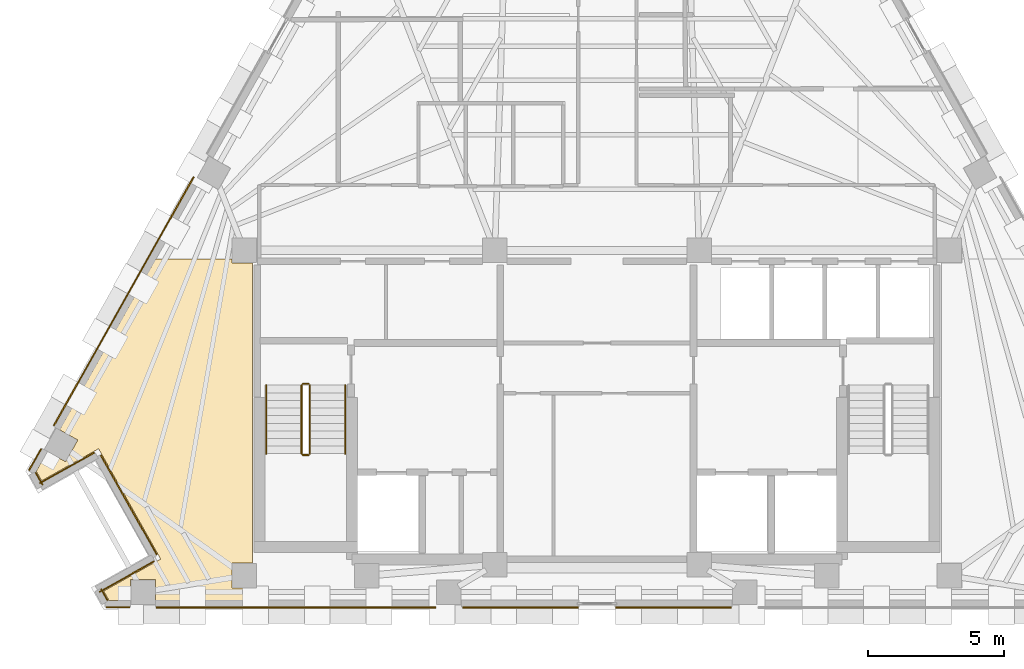
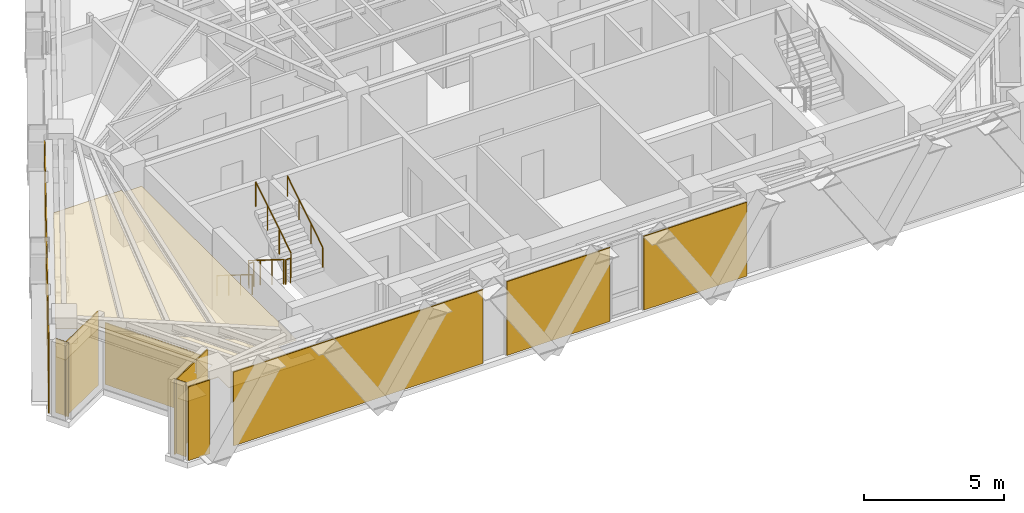
# One storey, part 10 of 12: 12 coverings, 6 railings.
"""IFC4 building model written with IfcOpenShell, lengths in metres."""

from ifc_helpers import new_model, si_unit, direction, frame, origin, origin_2d, place, context, subcontext, project, spatial, polyline, circle, outline, extrude, material, layer, layer_set, type_object, element, save


model = new_model("IFC4")

# Units and contexts
model_context = context("Model", 3, precision=1e-05, world=origin(), true_north=direction((0.0, 1.0)))
body_context = subcontext(model_context, "Body", "Model", "MODEL_VIEW")
ifc_project = project(units=[si_unit("LENGTHUNIT", "METRE"), si_unit("AREAUNIT", "SQUARE_METRE"), si_unit("VOLUMEUNIT", "CUBIC_METRE"), si_unit("PLANEANGLEUNIT", "RADIAN"), si_unit("MASSUNIT", "GRAM", prefix="KILO")], contexts=[model_context])

# Site, building, storey
site_placement = place(None, origin())
site = spatial("IfcSite", under=ifc_project, at=site_placement, CompositionType="ELEMENT")
building_placement = place(site_placement, origin())
building = spatial("IfcBuilding", under=site, at=building_placement, Name="Quenlor Broadcast Tower", CompositionType="ELEMENT")
storey_placement = place(building_placement, frame((0.0, 0.0, 221.89990234375)))
storey = spatial("IfcBuildingStorey", under=building, at=storey_placement, Name="L61", CompositionType="ELEMENT", Elevation=221.89990234375)

# Coverings
ifc_material_1 = material(Name="Acoustic Mineral Fibre Board", Category="other")
ifc_layer_1 = layer(ifc_material_1, 0.02490234375)
ifc_layer_set_1 = layer_set([ifc_layer_1], Name="Acoustic Perforated Mineral Tile Ceiling 25")
covering_type_1 = type_object("IfcCoveringType", Name="Acoustic Perforated Mineral Tile Ceiling 25", PredefinedType="CEILING", material=ifc_layer_set_1)
covering_1_placement = place(storey_placement, frame((0.0, 0.0, 2.375)))
element("IfcCovering", 1, at=covering_1_placement, inside=storey, type_object=covering_type_1, Name="L61 Acoustic Ceiling L61-30-2", PredefinedType="CEILING", context=body_context, shape_type="SweptSolid", body=[
    extrude(outline(polyline([(-20.191162109375, -12.18896484375), (-19.52197265625, -12.5654296875), (-19.07275390625, -11.76708984375), (-19.7421875, -11.390625), (-16.21484375, -5.1201171875), (-13.407958984375, -5.1201171875), (-13.407958984375, -5.258056640625), (-12.64990234375, -5.258056640625), (-12.64990234375, -16.2919921875), (-13.407958984375, -16.2919921875), (-13.407958984375, -17.2080078125), (-12.64990234375, -17.2080078125), (-12.64990234375, -17.659912109375), (-16.218017578125, -17.659912109375), (-16.218017578125, -16.89208984375), (-17.1337890625, -16.89208984375), (-17.1337890625, -17.659912109375), (-17.927001953125, -17.659912109375), (-18.120849609375, -17.315673828125), (-16.029052734375, -16.138916015625), (-18.30859375, -12.08642578125), (-20.400390625, -13.26318359375), (-20.597900390625, -12.912109375), (-20.191162109375, -12.18896484375)])), origin(), (0.0, 0.0, 1.0), 0.025146484375),
])
ifc_material_2 = material(Name="Architectural Terracotta Ceramic", Category="masonry")
ifc_layer_2 = layer(ifc_material_2, 0.044921875)
ifc_layer_set_2 = layer_set([ifc_layer_2], Name="Fluted Terracotta Rainscreen Cladding Panel")
covering_type_2 = type_object("IfcCoveringType", Name="Fluted Terracotta Rainscreen Cladding Panel", PredefinedType="CLADDING", material=ifc_layer_set_2)
covering_2_placement = place(storey_placement, frame((0.0, 0.0, 0.02001953125)))
element("IfcCovering", 2, at=covering_2_placement, inside=storey, type_object=covering_type_2, Name="L61 Terracotta Rainscreen Cladding L61-SHD-SS1", PredefinedType="CLADDING", context=body_context, shape_type="SweptSolid", body=[
    extrude(outline(polyline([(-17.160888671875, -17.886962890625), (-18.035888671875, -17.886962890625), (-18.035888671875, -17.931884765625), (-17.160888671875, -17.931884765625), (-17.160888671875, -17.886962890625)])), origin(), (0.0, 0.0, 1.0), 3.2099609375),
])
covering_3_placement = place(storey_placement, frame((0.0, 0.0, 0.02001953125)))
element("IfcCovering", 3, at=covering_3_placement, inside=storey, type_object=covering_type_2, Name="L61 Terracotta Rainscreen Cladding L61-EW-SC", PredefinedType="CLADDING", context=body_context, shape_type="SweptSolid", body=[
    extrude(outline(polyline([(-5.9228515625, -17.89697265625), (-16.19091796875, -17.89697265625), (-16.19091796875, -17.94189453125), (-5.9228515625, -17.94189453125), (-5.9228515625, -17.89697265625)])), origin(), (0.0, 0.0, 1.0), 3.2099609375),
])
covering_4_placement = place(storey_placement, frame((0.0, 0.0, 0.02001953125)))
element("IfcCovering", 4, at=covering_4_placement, inside=storey, type_object=covering_type_2, Name="L61 Terracotta Rainscreen Cladding L61-S-SP1", PredefinedType="CLADDING", context=body_context, shape_type="SweptSolid", body=[
    extrude(outline(polyline([(4.937744140625, -17.89697265625), (0.6923828125, -17.89697265625), (0.6923828125, -17.94189453125), (4.937744140625, -17.94189453125), (4.937744140625, -17.89697265625)])), origin(), (0.0, 0.0, 1.0), 3.2099609375),
])
covering_5_placement = place(storey_placement, frame((0.0, 0.0, 0.02001953125)))
element("IfcCovering", 5, at=covering_5_placement, inside=storey, type_object=covering_type_2, Name="L61 Terracotta Rainscreen Cladding L61-S-SP2", PredefinedType="CLADDING", context=body_context, shape_type="SweptSolid", body=[
    extrude(outline(polyline([(-0.6923828125, -17.89697265625), (-4.937744140625, -17.89697265625), (-4.937744140625, -17.94189453125), (-0.6923828125, -17.94189453125), (-0.6923828125, -17.89697265625)])), origin(), (0.0, 0.0, 1.0), 3.2099609375),
])
covering_6_placement = place(storey_placement, frame((0.0, 0.0, 0.02001953125)))
element("IfcCovering", 6, at=covering_6_placement, inside=storey, type_object=covering_type_2, Name="L61 Terracotta Rainscreen Cladding L61-SHD-NWS0", PredefinedType="CLADDING", context=body_context, shape_type="SweptSolid", body=[
    extrude(outline(polyline([(-20.845458984375, -12.888916015625), (-20.402099609375, -12.10107421875), (-20.44140625, -12.0791015625), (-20.884521484375, -12.866943359375), (-20.845458984375, -12.888916015625)])), origin(), (0.0, 0.0, 1.0), 3.2099609375),
])
covering_7_placement = place(storey_placement, frame((0.0, 0.0, 0.02001953125)))
element("IfcCovering", 7, at=covering_7_placement, inside=storey, type_object=covering_type_2, Name="L61 Terracotta Rainscreen Cladding L61-EW-NWA", PredefinedType="CLADDING", context=body_context, shape_type="SweptSolid", body=[
    extrude(outline(polyline([(-19.935302734375, -11.250732421875), (-14.7919921875, -2.106689453125), (-14.831298828125, -2.084716796875), (-19.974609375, -11.228759765625), (-19.935302734375, -11.250732421875)])), origin(), (0.0, 0.0, 1.0), 3.2099609375),
])
covering_8_placement = place(storey_placement, frame((0.0, 0.0, 0.02001953125)))
element("IfcCovering", 8, at=covering_8_placement, inside=storey, type_object=covering_type_2, Name="L61 Terracotta Rainscreen Cladding L61-CNR-12", PredefinedType="CLADDING", context=body_context, shape_type="SweptSolid", body=[
    extrude(outline(polyline([(-20.64306640625, -12.970458984375), (-20.38623046875, -13.427001953125), (-20.346923828125, -13.405029296875), (-20.60400390625, -12.948486328125), (-20.64306640625, -12.970458984375)])), origin(), (0.0, 0.0, 1.0), 3.2099609375),
])
covering_9_placement = place(storey_placement, frame((0.0, 0.0, 0.02001953125)))
element("IfcCovering", 9, at=covering_9_placement, inside=storey, type_object=covering_type_2, Name="L61 Terracotta Rainscreen Cladding L61-CNR-13", PredefinedType="CLADDING", context=body_context, shape_type="SweptSolid", body=[
    extrude(outline(polyline([(-20.462890625, -13.376220703125), (-18.45849609375, -12.248779296875), (-18.48046875, -12.20947265625), (-20.485107421875, -13.337158203125), (-20.462890625, -13.376220703125)])), origin(), (0.0, 0.0, 1.0), 3.2099609375),
])
covering_10_placement = place(storey_placement, frame((0.0, 0.0, 0.02001953125)))
element("IfcCovering", 10, at=covering_10_placement, inside=storey, type_object=covering_type_2, Name="L61 Terracotta Rainscreen Cladding L61-CNR-14", PredefinedType="CLADDING", context=body_context, shape_type="SweptSolid", body=[
    extrude(outline(polyline([(-18.245361328125, -12.337646484375), (-16.19140625, -15.9892578125), (-16.152099609375, -15.96728515625), (-18.206298828125, -12.315673828125), (-18.245361328125, -12.337646484375)])), origin(), (0.0, 0.0, 1.0), 2.681884765625),
])
covering_11_placement = place(storey_placement, frame((0.0, 0.0, 0.02001953125)))
element("IfcCovering", 11, at=covering_11_placement, inside=storey, type_object=covering_type_2, Name="L61 Terracotta Rainscreen Cladding L61-CNR-15", PredefinedType="CLADDING", context=body_context, shape_type="SweptSolid", body=[
    extrude(outline(polyline([(-16.2802734375, -16.2021484375), (-18.284912109375, -17.329833984375), (-18.262939453125, -17.368896484375), (-16.25830078125, -16.241455078125), (-16.2802734375, -16.2021484375)])), origin(), (0.0, 0.0, 1.0), 3.2099609375),
])
covering_12_placement = place(storey_placement, frame((0.0, 0.0, 0.02001953125)))
element("IfcCovering", 12, at=covering_12_placement, inside=storey, type_object=covering_type_2, Name="L61 Terracotta Rainscreen Cladding L61-CNR-16", PredefinedType="CLADDING", context=body_context, shape_type="SweptSolid", body=[
    extrude(outline(polyline([(-18.234130859375, -17.2529296875), (-17.99853515625, -17.671875), (-17.959228515625, -17.64990234375), (-18.19482421875, -17.23095703125), (-18.234130859375, -17.2529296875)])), origin(), (0.0, 0.0, 1.0), 3.2099609375),
])

# Railings
ifc_material_3 = material(Name="Anodised Aluminium", Category="aluminium")
railing_type_1 = type_object("IfcRailingType", Name="Stainless Aluminium Wall Handrail 900", PredefinedType="HANDRAIL", material=ifc_material_3)
railing_1_placement = place(storey_placement, frame((-12.14990234375, -9.75, 0.175048828125)))
element("IfcRailing", 13, at=railing_1_placement, inside=storey, type_object=railing_type_1, Name="L61 ST-1 stair handrail 1", PredefinedType="HANDRAIL", context=body_context, shape_type="SweptSolid", body=[
    extrude(circle(Radius=0.02392578125, at=origin_2d()), frame((0.0, 0.0, 0.8759765625), z_axis=(0.0, -0.848007534815, 0.529984170421), x_axis=(1.0, 0.0, 0.0)), (0.0, 0.0, 1.0), 2.9716796875),
    extrude(circle(Radius=0.02099609375, at=origin_2d()), origin(), (0.0, 0.0, 1.0), 0.851806640625),
    extrude(circle(Radius=0.02099609375, at=origin_2d()), frame((0.0, -0.840087890625, 0.52490234375)), (0.0, 0.0, 1.0), 0.851806640625),
    extrude(circle(Radius=0.02099609375, at=origin_2d()), frame((0.0, -1.679931640625, 1.050048828125)), (0.0, 0.0, 1.0), 0.851806640625),
    extrude(circle(Radius=0.02099609375, at=origin_2d()), frame((0.0, -2.52001953125, 1.574951171875)), (0.0, 0.0, 1.0), 0.851806640625),
])
railing_2_placement = place(storey_placement, frame((-9.25, -12.27001953125, 1.925048828125)))
element("IfcRailing", 14, at=railing_2_placement, inside=storey, type_object=railing_type_1, Name="L61 ST-1 stair handrail 2", PredefinedType="HANDRAIL", context=body_context, shape_type="SweptSolid", body=[
    extrude(circle(Radius=0.02392578125, at=origin_2d()), frame((0.0, 0.0, 0.8759765625), z_axis=(0.0, 0.848007534815, 0.529984170421), x_axis=(-1.0, 0.0, 0.0)), (0.0, 0.0, 1.0), 2.9716796875),
    extrude(circle(Radius=0.02099609375, at=origin_2d()), origin(), (0.0, 0.0, 1.0), 0.851806640625),
    extrude(circle(Radius=0.02099609375, at=origin_2d()), frame((0.0, 0.840087890625, 0.52490234375)), (0.0, 0.0, 1.0), 0.851806640625),
    extrude(circle(Radius=0.02099609375, at=origin_2d()), frame((0.0, 1.679931640625, 1.050048828125)), (0.0, 0.0, 1.0), 0.851806640625),
    extrude(circle(Radius=0.02099609375, at=origin_2d()), frame((0.0, 2.52001953125, 1.574951171875)), (0.0, 0.0, 1.0), 0.851806640625),
])
ifc_material_4 = material(Name="Steel S355", Category="steel")
railing_type_2 = type_object("IfcRailingType", Name="Tubular Steel S355 Stair Guardrail 1100", PredefinedType="BALUSTRADE", material=ifc_material_4)
railing_3_placement = place(storey_placement, frame((-10.85009765625, -9.75, 0.175048828125)))
element("IfcRailing", 15, at=railing_3_placement, inside=storey, type_object=railing_type_2, Name="L61 ST-1 stair guard 1", PredefinedType="BALUSTRADE", context=body_context, shape_type="SweptSolid", body=[
    extrude(circle(Radius=0.02392578125, at=origin_2d()), frame((0.0, 0.0, 1.076171875), z_axis=(0.0, -0.848007534815, 0.529984170421), x_axis=(1.0, 0.0, 0.0)), (0.0, 0.0, 1.0), 2.9716796875),
    extrude(circle(Radius=0.02099609375, at=origin_2d()), origin(), (0.0, 0.0, 1.0), 1.052001953125),
    extrude(circle(Radius=0.02099609375, at=origin_2d()), frame((0.0, -0.840087890625, 0.52490234375)), (0.0, 0.0, 1.0), 1.052001953125),
    extrude(circle(Radius=0.02099609375, at=origin_2d()), frame((0.0, -1.679931640625, 1.050048828125)), (0.0, 0.0, 1.0), 1.052001953125),
    extrude(circle(Radius=0.02099609375, at=origin_2d()), frame((0.0, -2.52001953125, 1.574951171875)), (0.0, 0.0, 1.0), 1.052001953125),
])
railing_4_placement = place(storey_placement, frame((-10.800048828125, -12.320068359375, 1.75)))
element("IfcRailing", 16, at=railing_4_placement, inside=storey, type_object=railing_type_2, Name="L61 ST-1 stair guard 2", PredefinedType="BALUSTRADE", context=body_context, shape_type="SweptSolid", body=[
    extrude(circle(Radius=0.02392578125, at=origin_2d()), frame((0.0, 0.0, 1.076171875), z_axis=(1.0, 0.0, 0.0), x_axis=(0.0, 1.0, 0.0)), (0.0, 0.0, 1.0), 0.199951171875),
    extrude(circle(Radius=0.02099609375, at=origin_2d()), origin(), (0.0, 0.0, 1.0), 1.052001953125),
    extrude(circle(Radius=0.02099609375, at=origin_2d()), frame((0.199951171875, 0.0, 0.0)), (0.0, 0.0, 1.0), 1.052001953125),
])
railing_5_placement = place(storey_placement, frame((-10.550048828125, -12.27001953125, 1.925048828125)))
element("IfcRailing", 17, at=railing_5_placement, inside=storey, type_object=railing_type_2, Name="L61 ST-1 stair guard 3", PredefinedType="BALUSTRADE", context=body_context, shape_type="SweptSolid", body=[
    extrude(circle(Radius=0.02392578125, at=origin_2d()), frame((0.0, 0.0, 1.076171875), z_axis=(0.0, 0.848007534815, 0.529984170421), x_axis=(-1.0, 0.0, 0.0)), (0.0, 0.0, 1.0), 2.9716796875),
    extrude(circle(Radius=0.02099609375, at=origin_2d()), origin(), (0.0, 0.0, 1.0), 1.052001953125),
    extrude(circle(Radius=0.02099609375, at=origin_2d()), frame((0.0, 0.840087890625, 0.52490234375)), (0.0, 0.0, 1.0), 1.052001953125),
    extrude(circle(Radius=0.02099609375, at=origin_2d()), frame((0.0, 1.679931640625, 1.050048828125)), (0.0, 0.0, 1.0), 1.052001953125),
    extrude(circle(Radius=0.02099609375, at=origin_2d()), frame((0.0, 2.52001953125, 1.574951171875)), (0.0, 0.0, 1.0), 1.052001953125),
])
railing_6_placement = place(storey_placement, frame((-10.800048828125, -9.699951171875, 0.0)))
element("IfcRailing", 18, at=railing_6_placement, inside=storey, type_object=railing_type_2, Name="L61 ST-1 stair guard 4", PredefinedType="BALUSTRADE", context=body_context, shape_type="SweptSolid", body=[
    extrude(circle(Radius=0.02392578125, at=origin_2d()), frame((0.0, 0.0, 1.076171875), z_axis=(1.0, 0.0, 0.0), x_axis=(0.0, 1.0, 0.0)), (0.0, 0.0, 1.0), 0.199951171875),
    extrude(circle(Radius=0.02099609375, at=origin_2d()), origin(), (0.0, 0.0, 1.0), 1.052001953125),
    extrude(circle(Radius=0.02099609375, at=origin_2d()), frame((0.199951171875, 0.0, 0.0)), (0.0, 0.0, 1.0), 1.052001953125),
])

save(model, "model.ifc")
